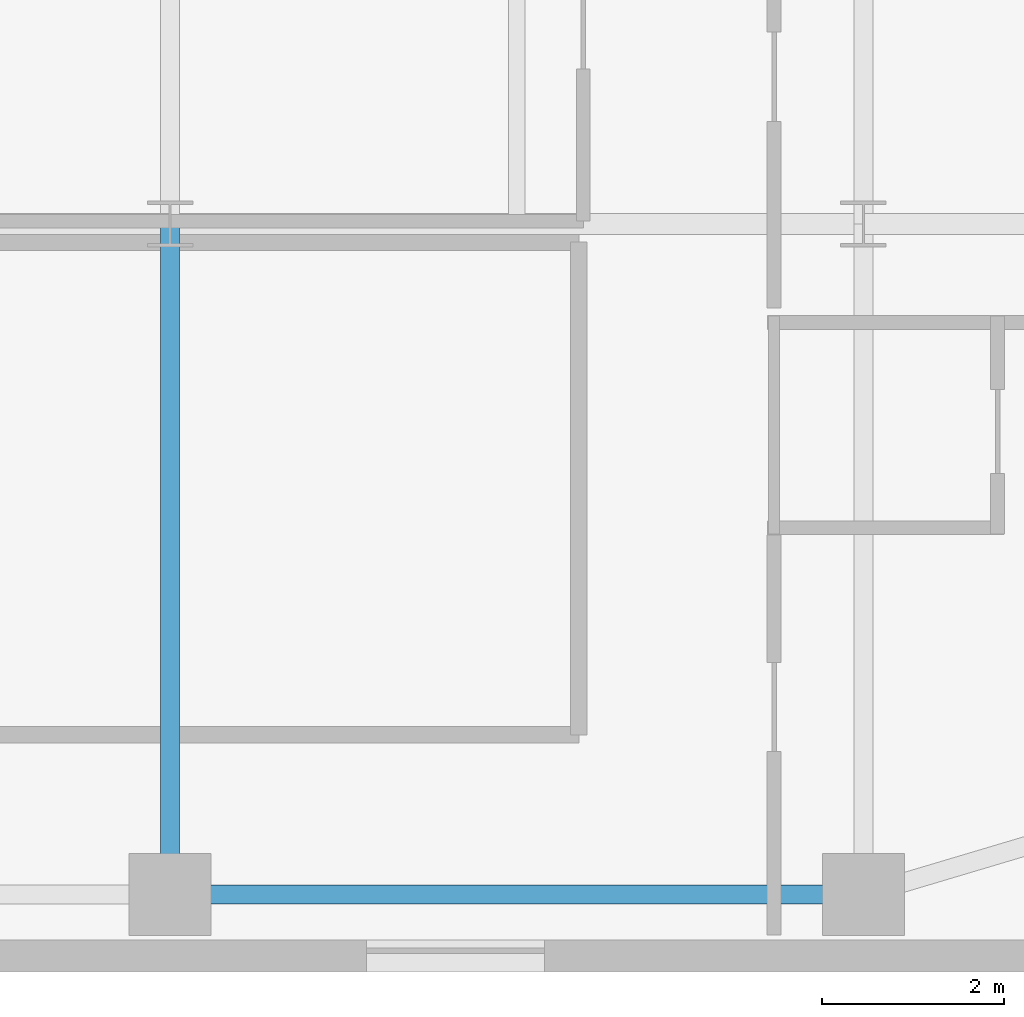
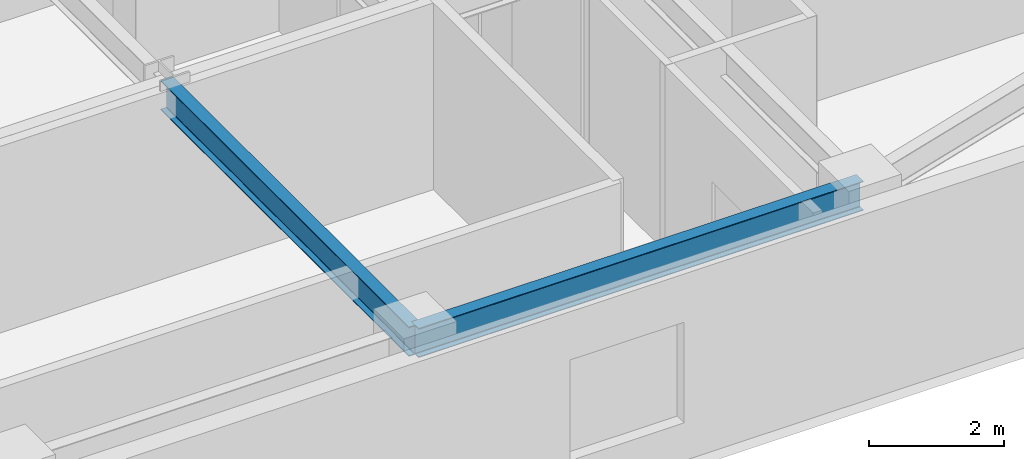
# One storey, part 6 of 25: 2 beams.
"""IFC4 building model written with IfcOpenShell, lengths in metres."""

import ifcopenshell
import ifcopenshell.guid

model = None  # the IFC model being written
_history = None  # IfcOwnerHistory: only IFC2X3 demands one
_inside = {}  # id of a spatial element -> (the spatial element, [elements in it])
_under = {}  # id of a project, library or spatial element -> (it, [spatial elements below it])
_declared = {}  # id of a project -> (the project, [libraries it declares])
_typed = {}  # id of a type object -> (the type object, [elements of that type])
_made_of = {}  # id of a material, layer set ... -> (it, [elements and type objects made of it])


def new_model(schema):
    """Start an empty IFC model of exactly this schema.

    Asked for "IFC4X3", IfcOpenShell would pick the latest addendum, in which some entities
    have other attributes; the version numbers below select the first issue.
    IFC2X3 requires an IfcOwnerHistory on every rooted entity: one is made here for all.
    """
    global model, _history
    if schema == "IFC4X3":
        model = ifcopenshell.file(schema_version=(4, 3, 0, 0))
    else:
        model = ifcopenshell.file(schema=schema)
    _inside.clear()
    _under.clear()
    _declared.clear()
    _typed.clear()
    _made_of.clear()
    _history = None
    if model.schema == "IFC2X3":
        org = make("IfcOrganization", Name="unknown")
        user = make(
            "IfcPersonAndOrganization",
            ThePerson=make("IfcPerson", FamilyName="unknown"),
            TheOrganization=org,
        )
        app = make(
            "IfcApplication",
            ApplicationDeveloper=org,
            Version="unknown",
            ApplicationFullName="unknown",
            ApplicationIdentifier="unknown",
        )
        _history = make(
            "IfcOwnerHistory",
            OwningUser=user,
            OwningApplication=app,
            ChangeAction="ADDED",
            CreationDate=0,
        )
    return model


def make(cls, **values):
    """One entity of the class cls with the attributes given. An attribute that is None is left unset."""
    return model.create_entity(
        cls, **{name: value for name, value in values.items() if value is not None}
    )


def rooted(cls, **values):
    """An entity with a GlobalId (a new one), such as an element, a storey or a relation."""
    return make(cls, GlobalId=ifcopenshell.guid.new(), OwnerHistory=_history, **values)


def si_unit(unit_type, name, prefix=None):
    """IfcSIUnit, for example si_unit("LENGTHUNIT", "METRE", prefix="MILLI")."""
    return make("IfcSIUnit", UnitType=unit_type, Prefix=prefix, Name=name)


def assignment(units):
    """IfcUnitAssignment: the units of a project."""
    return None if units is None else make("IfcUnitAssignment", Units=units)


def point(xyz):
    """IfcCartesianPoint."""
    return None if xyz is None else make("IfcCartesianPoint", Coordinates=xyz)


def direction(xyz):
    """IfcDirection."""
    return None if xyz is None else make("IfcDirection", DirectionRatios=xyz)


def frame(location, z_axis=None, x_axis=None):
    """IfcAxis2Placement3D, a coordinate frame: its origin and axes. An axis left out is left unset."""
    return make(
        "IfcAxis2Placement3D",
        Location=point(location),
        Axis=direction(z_axis),
        RefDirection=direction(x_axis),
    )


def frame_2d(location, x_axis=None):
    """IfcAxis2Placement2D, a coordinate frame in the plane: its origin and x axis."""
    return make(
        "IfcAxis2Placement2D", Location=point(location), RefDirection=direction(x_axis)
    )


def origin():
    """The frame at (0, 0, 0) with its axes left unset."""
    return frame((0.0, 0.0, 0.0))


def origin_2d():
    """The frame at (0, 0) in the plane with its x axis left unset."""
    return frame_2d((0.0, 0.0))


def place(relative_to, where):
    """IfcLocalPlacement: puts the frame where relative to a parent placement (None: the world)."""
    return make(
        "IfcLocalPlacement", PlacementRelTo=relative_to, RelativePlacement=where
    )


def context(
    kind, dimensions, precision=None, world=None, true_north=None, identifier=None
):
    """IfcGeometricRepresentationContext, for example the 3D "Model" context."""
    return make(
        "IfcGeometricRepresentationContext",
        ContextIdentifier=identifier,
        ContextType=kind,
        CoordinateSpaceDimension=dimensions,
        Precision=precision,
        WorldCoordinateSystem=world,
        TrueNorth=true_north,
    )


def subcontext(parent, identifier, kind, view, scale=None):
    """IfcGeometricRepresentationSubContext, for example "Body" below "Model"."""
    return make(
        "IfcGeometricRepresentationSubContext",
        ContextIdentifier=identifier,
        ContextType=kind,
        ParentContext=parent,
        TargetScale=scale,
        TargetView=view,
    )


def project(units=None, contexts=None):
    """IfcProject with its units and contexts."""
    return rooted(
        "IfcProject",
        Name="project",
        RepresentationContexts=contexts,
        UnitsInContext=assignment(units),
    )


def spatial(cls, under=None, at=None, **own):
    """A site, building, storey or space (cls), placed at a placement, below another one or the project."""
    s = rooted(cls, ObjectPlacement=at, **own)
    if under is not None:
        _under.setdefault(under.id(), (under, []))[1].append(s)
    return s


def profile(cls, at=None, kind="AREA", **sizes):
    """A parametric profile (cls). Its sizes go by their IFC names, for example OverallWidth=200.0."""
    return make(cls, ProfileType=kind, Position=at, **sizes)


def i_section(**sizes):
    """IfcIShapeProfileDef."""
    return profile("IfcIShapeProfileDef", **sizes)


def extrude(swept, where, along, depth):
    """IfcExtrudedAreaSolid: the profile swept, set in the frame where, extruded along a direction by depth."""
    return make(
        "IfcExtrudedAreaSolid",
        SweptArea=swept,
        Position=where,
        ExtrudedDirection=direction(along),
        Depth=depth,
    )


def shape(context_of_items, identifier, shape_type, items):
    """IfcShapeRepresentation: the items that make up one representation, for example the "Body"."""
    return make(
        "IfcShapeRepresentation",
        ContextOfItems=context_of_items,
        RepresentationIdentifier=identifier,
        RepresentationType=shape_type,
        Items=items,
    )


def source(mapping_origin, context_of_items, identifier, shape_type, items):
    """IfcRepresentationMap: a shape defined once, which mapped items show again and again."""
    return make(
        "IfcRepresentationMap",
        MappingOrigin=mapping_origin,
        MappedRepresentation=shape(context_of_items, identifier, shape_type, items),
    )


def transform(
    local_origin,
    x_axis=None,
    y_axis=None,
    z_axis=None,
    scale=None,
    scale2=None,
    scale3=None,
    uniform=True,
):
    """IfcCartesianTransformationOperator3D, or its non-uniform kind. x_axis, y_axis, z_axis: its Axis1, 2, 3."""
    if uniform:
        return make(
            "IfcCartesianTransformationOperator3D",
            Axis1=direction(x_axis),
            Axis2=direction(y_axis),
            LocalOrigin=point(local_origin),
            Scale=scale,
            Axis3=direction(z_axis),
        )
    return make(
        "IfcCartesianTransformationOperator3DnonUniform",
        Axis1=direction(x_axis),
        Axis2=direction(y_axis),
        LocalOrigin=point(local_origin),
        Scale=scale,
        Axis3=direction(z_axis),
        Scale2=scale2,
        Scale3=scale3,
    )


def mapped(mapping_source, mapping_target):
    """IfcMappedItem: shows the shape of a source again, moved by a transform."""
    return make(
        "IfcMappedItem", MappingSource=mapping_source, MappingTarget=mapping_target
    )


def material(Name=None, Category=None):
    """IfcMaterial."""
    return make("IfcMaterial", Name=Name, Category=Category)


def material_profile(
    of_material, cross_section, Name=None, Category=None, Priority=None
):
    """IfcMaterialProfile: a cross section and its material."""
    return make(
        "IfcMaterialProfile",
        Name=Name,
        Material=of_material,
        Profile=cross_section,
        Priority=Priority,
        Category=Category,
    )


def profile_set(profiles, Name=None, composite=None):
    """IfcMaterialProfileSet."""
    return make(
        "IfcMaterialProfileSet",
        Name=Name,
        MaterialProfiles=profiles,
        CompositeProfile=composite,
    )


def made_of(thing, what):
    """Note that an element or type object is made of a material, layer set ...; save() writes the relation."""
    if what is not None:
        _made_of.setdefault(what.id(), (what, []))[1].append(thing)
    return thing


def type_object(cls, material=None, **own):
    """A type object (cls), such as IfcWallType, which elements share."""
    return made_of(rooted(cls, **own), material)


def type_shapes(of_type, sources):
    """Give a type object the sources (RepresentationMaps) that its elements show as mapped items."""
    of_type.RepresentationMaps = sources


def element(
    cls,
    number,
    at=None,
    inside=None,
    cuts=None,
    type_object=None,
    material=None,
    context=None,
    identifier="Body",
    shape_type=None,
    held_by="IfcProductDefinitionShape",
    body=None,
    shapes=None,
    **own,
):
    """One element of the class cls, such as IfcWall. Its Tag is "e" and its number.

    at: its placement. inside: the storey or other place that contains it. cuts: it is an
    opening in that element (IfcRelVoidsElement). A single representation is given by context,
    identifier, shape_type and body (its items); several are given by shapes. held_by: the class
    of the entity that holds the representations. save() writes the other relations.
    """
    e = rooted(cls, Tag="e%d" % number, ObjectPlacement=at, **own)
    if body is not None:
        shapes = [shape(context, identifier, shape_type, body)]
    if shapes is not None:
        e.Representation = make(held_by, Representations=shapes)
    if inside is not None:
        _inside.setdefault(inside.id(), (inside, []))[1].append(e)
    if cuts is not None:
        rooted(
            "IfcRelVoidsElement", RelatingBuildingElement=cuts, RelatedOpeningElement=e
        )
    if type_object is not None:
        _typed.setdefault(type_object.id(), (type_object, []))[1].append(e)
    return made_of(e, material)


def aggregate(whole, parts):
    """IfcRelAggregates: a whole, such as a stair, and the parts it consists of."""
    return rooted("IfcRelAggregates", RelatingObject=whole, RelatedObjects=parts)


def save(model, path):
    """Write the relations noted so far, then the file.

    IfcRelAggregates (storeys below a building ...), IfcRelContainedInSpatialStructure (elements
    in a storey), IfcRelDefinesByType, IfcRelAssociatesMaterial and IfcRelDeclares: one each for
    every whole, place, type object, material and project.
    """
    for whole, parts in _under.values():
        aggregate(whole, parts)
    for where, things in _inside.values():
        rooted(
            "IfcRelContainedInSpatialStructure",
            RelatedElements=things,
            RelatingStructure=where,
        )
    for kind, things in _typed.values():
        rooted("IfcRelDefinesByType", RelatedObjects=things, RelatingType=kind)
    for what, things in _made_of.values():
        rooted("IfcRelAssociatesMaterial", RelatedObjects=things, RelatingMaterial=what)
    for by, libraries in _declared.values():
        rooted("IfcRelDeclares", RelatingContext=by, RelatedDefinitions=libraries)
    model.write(path)


model = new_model("IFC4")

# Units and contexts
model_context = context("Model", 3, precision=1e-05, world=origin(), true_north=direction((0.0, 1.0)))
body_context = subcontext(model_context, "Body", "Model", "MODEL_VIEW")
ifc_project = project(units=[si_unit("LENGTHUNIT", "METRE"), si_unit("AREAUNIT", "SQUARE_METRE"), si_unit("VOLUMEUNIT", "CUBIC_METRE"), si_unit("PLANEANGLEUNIT", "RADIAN"), si_unit("MASSUNIT", "GRAM", prefix="KILO")], contexts=[model_context])

# Site, building, storey
site_placement = place(None, origin())
site = spatial("IfcSite", under=ifc_project, at=site_placement, CompositionType="ELEMENT")
building_placement = place(site_placement, origin())
building = spatial("IfcBuilding", under=site, at=building_placement, Name="Tolvann Quenvar Hotel", CompositionType="ELEMENT")
storey_placement = place(building_placement, frame((0.0, 0.0, 78.14990234375)))
storey = spatial("IfcBuildingStorey", under=building, at=storey_placement, Name="L19", CompositionType="ELEMENT", Elevation=78.14990234375)

# Beams
ifc_material = material(Name="Steel Grade 350", Category="steel")
ifc_material_profile_1 = material_profile(ifc_material, i_section(OverallWidth=0.208984375, OverallDepth=0.528076171875, WebThickness=0.009521484375, FlangeThickness=0.01318359375, FilletRadius=0.013916015625, at=origin_2d()), Name="530UB82")
ifc_profile_set_1 = profile_set([ifc_material_profile_1], Name="Steel Grade 350")
beam_type_1 = type_object("IfcBeamType", Name="BM_SPAND_530UB82", PredefinedType="SPANDREL", material=ifc_profile_set_1)
shared_shape_1 = source(origin(), body_context, "Body", "SweptSolid", [
    extrude(i_section(OverallWidth=0.208984375, OverallDepth=0.528076171875, WebThickness=0.009521484375, FlangeThickness=0.01318359375, FilletRadius=0.013916015625, at=origin_2d()), origin(), (0.0, 0.0, 1.0), 7.599853515625),
])
type_shapes(beam_type_1, [shared_shape_1])
beam_1_placement = place(storey_placement, frame((41.800048828125, 0.85009765625, 3.106201171875), z_axis=(1.0, 0.0, 0.0), x_axis=(0.0, 1.0, 0.0)))
element("IfcBeam", 1, at=beam_1_placement, inside=storey, type_object=beam_type_1, Name="BM-L19-EW-2-H2-I2", PredefinedType="SPANDREL", context=body_context, shape_type="MappedRepresentation", body=[
    mapped(shared_shape_1, transform((0.0, 0.0, 0.0), x_axis=(1.0, 0.0, 0.0), y_axis=(0.0, 1.0, 0.0), z_axis=(0.0, 0.0, 1.0), scale=1.0)),
])
ifc_material_profile_2 = material_profile(ifc_material, i_section(OverallWidth=0.208984375, OverallDepth=0.532958984375, WebThickness=0.01025390625, FlangeThickness=0.015625, FilletRadius=0.013916015625, at=origin_2d()), Name="530UB92")
ifc_profile_set_2 = profile_set([ifc_material_profile_2], Name="Steel Grade 350")
beam_type_2 = type_object("IfcBeamType", Name="BM_GIRD_530UB92", PredefinedType="BEAM", material=ifc_profile_set_2)
shared_shape_2 = source(origin(), body_context, "Body", "SweptSolid", [
    extrude(i_section(OverallWidth=0.208984375, OverallDepth=0.532958984375, WebThickness=0.01025390625, FlangeThickness=0.015625, FilletRadius=0.013916015625, at=origin_2d()), origin(), (0.0, 0.0, 1.0), 7.349853515625),
])
type_shapes(beam_type_2, [shared_shape_2])
beam_2_placement = place(storey_placement, frame((41.800048828125, 0.85009765625, 3.103515625), z_axis=(0.0, 1.0, 0.0), x_axis=(-1.0, 0.0, 0.0)))
element("IfcBeam", 2, at=beam_2_placement, inside=storey, type_object=beam_type_2, Name="BM-L19-NS-H2-H3", PredefinedType="BEAM", context=body_context, shape_type="MappedRepresentation", body=[
    mapped(shared_shape_2, transform((0.0, 0.0, 0.0), x_axis=(1.0, 0.0, 0.0), y_axis=(0.0, 1.0, 0.0), z_axis=(0.0, 0.0, 1.0), scale=1.0)),
])

save(model, "model.ifc")
